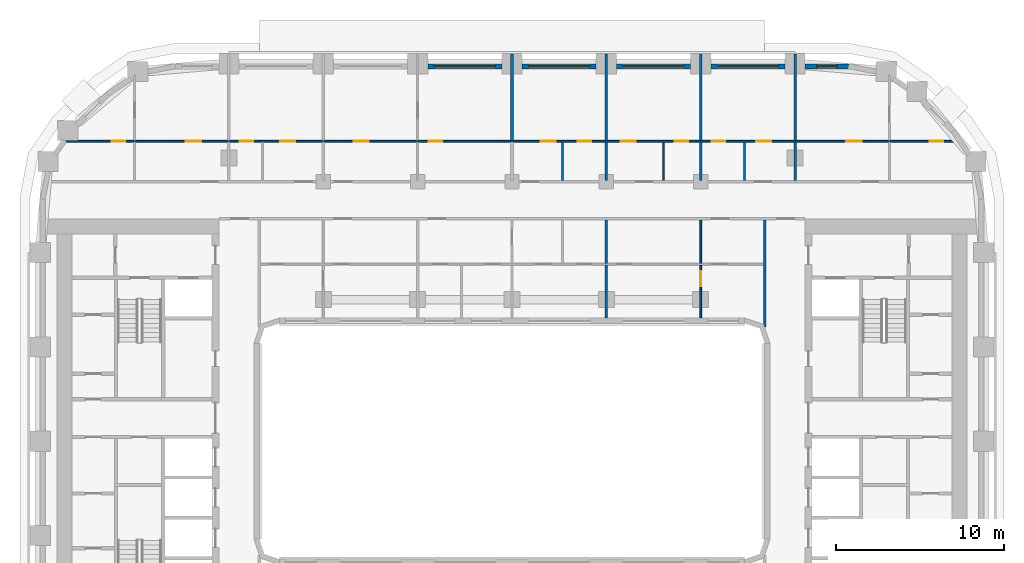
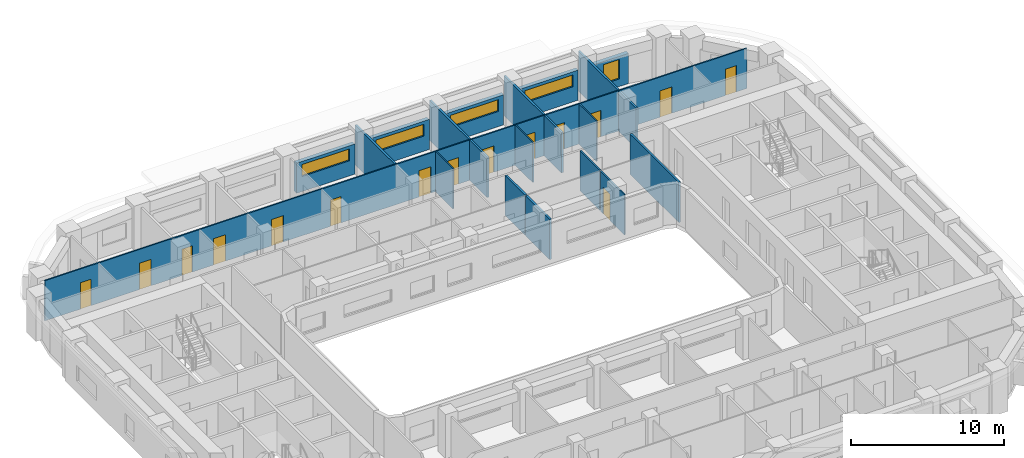
# One storey, part 9 of 22: 21 walls, 15 doors, 5 windows, 20 openings.
"""IFC4 building model written with IfcOpenShell, lengths in metres."""

from ifc_helpers import new_model, si_unit, direction, frame, frame_2d, origin, place, context, subcontext, project, spatial, rectangle, extrude, material, layer, layer_set, type_object, element, fill, save


model = new_model("IFC4")

# Units and contexts
model_context = context("Model", 3, precision=1e-05, world=origin(), true_north=direction((0.0, 1.0)))
body_context = subcontext(model_context, "Body", "Model", "MODEL_VIEW")
ifc_project = project(units=[si_unit("LENGTHUNIT", "METRE"), si_unit("AREAUNIT", "SQUARE_METRE"), si_unit("VOLUMEUNIT", "CUBIC_METRE"), si_unit("PLANEANGLEUNIT", "RADIAN"), si_unit("MASSUNIT", "GRAM", prefix="KILO")], contexts=[model_context])

# Site, building, storey
site_placement = place(None, origin())
site = spatial("IfcSite", under=ifc_project, at=site_placement, CompositionType="ELEMENT")
building_placement = place(site_placement, origin())
building = spatial("IfcBuilding", under=site, at=building_placement, Name="Kiln Ring Residences", CompositionType="ELEMENT")
storey_placement = place(building_placement, frame((0.0, 0.0, 111.300048828125)))
storey = spatial("IfcBuildingStorey", under=building, at=storey_placement, Name="L28", CompositionType="ELEMENT", Elevation=111.300048828125)

# Wall, opening, window
ifc_material_1 = material(Name="Brick masonry, dark clay brick", Category="masonry")
ifc_layer_1 = layer(ifc_material_1, 0.300048828125)
ifc_layer_set_1 = layer_set([ifc_layer_1], Name="EW-300 BRICK WALL")
wall_type_1 = type_object("IfcWallType", Name="EW-300 BRICK WALL", PredefinedType="SOLIDWALL", material=ifc_layer_set_1)
wall_1_placement = place(storey_placement, frame((20.0, 22.25, 0.0), z_axis=(0.0, 0.0, 1.0), x_axis=(-1.0, 0.0, 0.0)))
wall_1 = element("IfcWall", 1, at=wall_1_placement, inside=storey, type_object=wall_type_1, Name="Facade wall L28 28", PredefinedType="SOLIDWALL", context=body_context, shape_type="SweptSolid", body=[
    extrude(rectangle(XDim=2.60009765625, YDim=0.300048828125, at=frame_2d((1.300048828125, 0.0))), origin(), (0.0, 0.0, 1.0), 2.39990234375),
])
opening_1_placement = place(wall_1_placement, frame((0.699951171875, 0.0, 0.60009765625)))
opening_1 = element("IfcOpeningElement", 2, at=opening_1_placement, cuts=wall_1, Name="Opening W1", PredefinedType="OPENING", context=body_context, shape_type="SweptSolid", body=[
    extrude(rectangle(XDim=1.199951171875, YDim=1.550048828125, at=frame_2d((0.60009765625, 0.77490234375))), frame((0.0, 0.159912109375, 0.0), z_axis=(0.0, -1.0, 0.0), x_axis=(1.0, 0.0, 0.0)), (0.0, 0.0, 1.0), 0.320068359375),
])
ifc_material_2 = material(Name="Aluminium frame with double glazing", Category="aluminium")
window_type_1 = type_object("IfcWindowType", Name="WINDOW 1200 x 1550", PartitioningType="SINGLE_PANEL", PredefinedType="WINDOW", material=ifc_material_2)
window_1_placement = place(opening_1_placement, origin())
window_1 = element("IfcWindow", 3, at=window_1_placement, inside=storey, type_object=window_type_1, Name="Window L28 14", OverallHeight=1.550048828125, OverallWidth=1.199951171875, PartitioningType="SINGLE_PANEL", PredefinedType="WINDOW", context=body_context, shape_type="SweptSolid", body=[
    extrude(rectangle(XDim=1.199951171875, YDim=1.550048828125, at=frame_2d((0.60009765625, 0.77490234375))), frame((0.0, 0.030029296875, 0.0), z_axis=(0.0, -1.0, 0.0), x_axis=(1.0, 0.0, 0.0)), (0.0, 0.0, 1.0), 0.06005859375),
])
fill(opening_1, window_1)

wall_2_placement = place(storey_placement, frame((16.199951171875, 22.25, 0.0), z_axis=(0.0, 0.0, 1.0), x_axis=(-1.0, 0.0, 0.0)))
wall_2 = element("IfcWall", 4, at=wall_2_placement, inside=storey, type_object=wall_type_1, Name="Facade wall L28 29", PredefinedType="SOLIDWALL", context=body_context, shape_type="SweptSolid", body=[
    extrude(rectangle(XDim=4.39990234375, YDim=0.300048828125, at=frame_2d((2.199951171875, 0.0))), origin(), (0.0, 0.0, 1.0), 2.39990234375),
])
opening_2_placement = place(wall_2_placement, frame((0.39990234375, 0.0, 1.199951171875)))
opening_2 = element("IfcOpeningElement", 5, at=opening_2_placement, cuts=wall_2, Name="Opening W4", PredefinedType="OPENING", context=body_context, shape_type="SweptSolid", body=[
    extrude(rectangle(XDim=3.60009765625, YDim=0.949951171875, at=frame_2d((1.800048828125, 0.47509765625))), frame((0.0, 0.159912109375, 0.0), z_axis=(0.0, -1.0, 0.0), x_axis=(1.0, 0.0, 0.0)), (0.0, 0.0, 1.0), 0.320068359375),
])
ifc_material_3 = material(Name="Aluminium frame with double glazing", Category="aluminium")
window_type_2 = type_object("IfcWindowType", Name="WINDOW 3600 x 950", PartitioningType="SINGLE_PANEL", PredefinedType="WINDOW", material=ifc_material_3)
window_2_placement = place(opening_2_placement, origin())
window_2 = element("IfcWindow", 6, at=window_2_placement, inside=storey, type_object=window_type_2, Name="Window L28 15", OverallHeight=0.949951171875, OverallWidth=3.60009765625, PartitioningType="SINGLE_PANEL", PredefinedType="WINDOW", context=body_context, shape_type="SweptSolid", body=[
    extrude(rectangle(XDim=3.60009765625, YDim=0.949951171875, at=frame_2d((1.800048828125, 0.47509765625))), frame((0.0, 0.030029296875, 0.0), z_axis=(0.0, -1.0, 0.0), x_axis=(1.0, 0.0, 0.0)), (0.0, 0.0, 1.0), 0.06005859375),
])
fill(opening_2, window_2)

wall_3_placement = place(storey_placement, frame((10.60009765625, 22.25, 0.0), z_axis=(0.0, 0.0, 1.0), x_axis=(-1.0, 0.0, 0.0)))
wall_3 = element("IfcWall", 7, at=wall_3_placement, inside=storey, type_object=wall_type_1, Name="Facade wall L28 30", PredefinedType="SOLIDWALL", context=body_context, shape_type="SweptSolid", body=[
    extrude(rectangle(XDim=4.400146484375, YDim=0.300048828125, at=frame_2d((2.2001953125, 0.0))), origin(), (0.0, 0.0, 1.0), 2.39990234375),
])
opening_3_placement = place(wall_3_placement, frame((0.39990234375, 0.0, 1.199951171875)))
opening_3 = element("IfcOpeningElement", 8, at=opening_3_placement, cuts=wall_3, Name="Opening W4", PredefinedType="OPENING", context=body_context, shape_type="SweptSolid", body=[
    extrude(rectangle(XDim=3.60009765625, YDim=0.949951171875, at=frame_2d((1.800048828125, 0.47509765625))), frame((0.0, 0.159912109375, 0.0), z_axis=(0.0, -1.0, 0.0), x_axis=(1.0, 0.0, 0.0)), (0.0, 0.0, 1.0), 0.320068359375),
])
window_3_placement = place(opening_3_placement, origin())
window_3 = element("IfcWindow", 9, at=window_3_placement, inside=storey, type_object=window_type_2, Name="Window L28 16", OverallHeight=0.949951171875, OverallWidth=3.60009765625, PartitioningType="SINGLE_PANEL", PredefinedType="WINDOW", context=body_context, shape_type="SweptSolid", body=[
    extrude(rectangle(XDim=3.60009765625, YDim=0.949951171875, at=frame_2d((1.800048828125, 0.47509765625))), frame((0.0, 0.030029296875, 0.0), z_axis=(0.0, -1.0, 0.0), x_axis=(1.0, 0.0, 0.0)), (0.0, 0.0, 1.0), 0.06005859375),
])
fill(opening_3, window_3)

wall_4_placement = place(storey_placement, frame((5.0, 22.25, 0.0), z_axis=(0.0, 0.0, 1.0), x_axis=(-1.0, 0.0, 0.0)))
wall_4 = element("IfcWall", 10, at=wall_4_placement, inside=storey, type_object=wall_type_1, Name="Facade wall L28 31", PredefinedType="SOLIDWALL", context=body_context, shape_type="SweptSolid", body=[
    extrude(rectangle(XDim=4.39990234375, YDim=0.300048828125, at=frame_2d((2.199951171875, 0.0))), origin(), (0.0, 0.0, 1.0), 2.39990234375),
])
opening_4_placement = place(wall_4_placement, frame((0.39990234375, 0.0, 1.199951171875)))
opening_4 = element("IfcOpeningElement", 11, at=opening_4_placement, cuts=wall_4, Name="Opening W4", PredefinedType="OPENING", context=body_context, shape_type="SweptSolid", body=[
    extrude(rectangle(XDim=3.60009765625, YDim=0.949951171875, at=frame_2d((1.800048828125, 0.47509765625))), frame((0.0, 0.159912109375, 0.0), z_axis=(0.0, -1.0, 0.0), x_axis=(1.0, 0.0, 0.0)), (0.0, 0.0, 1.0), 0.320068359375),
])
window_4_placement = place(opening_4_placement, origin())
window_4 = element("IfcWindow", 12, at=window_4_placement, inside=storey, type_object=window_type_2, Name="Window L28 17", OverallHeight=0.949951171875, OverallWidth=3.60009765625, PartitioningType="SINGLE_PANEL", PredefinedType="WINDOW", context=body_context, shape_type="SweptSolid", body=[
    extrude(rectangle(XDim=3.60009765625, YDim=0.949951171875, at=frame_2d((1.800048828125, 0.47509765625))), frame((0.0, 0.030029296875, 0.0), z_axis=(0.0, -1.0, 0.0), x_axis=(1.0, 0.0, 0.0)), (0.0, 0.0, 1.0), 0.06005859375),
])
fill(opening_4, window_4)

wall_5_placement = place(storey_placement, frame((-0.60009765625, 22.25, 0.0), z_axis=(0.0, 0.0, 1.0), x_axis=(-1.0, 0.0, 0.0)))
wall_5 = element("IfcWall", 13, at=wall_5_placement, inside=storey, type_object=wall_type_1, Name="Facade wall L28 32", PredefinedType="SOLIDWALL", context=body_context, shape_type="SweptSolid", body=[
    extrude(rectangle(XDim=4.39990234375, YDim=0.300048828125, at=frame_2d((2.199951171875, 0.0))), origin(), (0.0, 0.0, 1.0), 2.39990234375),
])
opening_5_placement = place(wall_5_placement, frame((0.39990234375, 0.0, 1.199951171875)))
opening_5 = element("IfcOpeningElement", 14, at=opening_5_placement, cuts=wall_5, Name="Opening W4", PredefinedType="OPENING", context=body_context, shape_type="SweptSolid", body=[
    extrude(rectangle(XDim=3.60009765625, YDim=0.949951171875, at=frame_2d((1.800048828125, 0.47509765625))), frame((0.0, 0.159912109375, 0.0), z_axis=(0.0, -1.0, 0.0), x_axis=(1.0, 0.0, 0.0)), (0.0, 0.0, 1.0), 0.320068359375),
])
window_5_placement = place(opening_5_placement, origin())
window_5 = element("IfcWindow", 15, at=window_5_placement, inside=storey, type_object=window_type_2, Name="Window L28 18", OverallHeight=0.949951171875, OverallWidth=3.60009765625, PartitioningType="SINGLE_PANEL", PredefinedType="WINDOW", context=body_context, shape_type="SweptSolid", body=[
    extrude(rectangle(XDim=3.60009765625, YDim=0.949951171875, at=frame_2d((1.800048828125, 0.47509765625))), frame((0.0, 0.030029296875, 0.0), z_axis=(0.0, -1.0, 0.0), x_axis=(1.0, 0.0, 0.0)), (0.0, 0.0, 1.0), 0.06005859375),
])
fill(opening_5, window_5)

# Wall, openings, doors
ifc_material_4 = material(Name="Gypsum board on steel studs", Category="steel")
ifc_layer_2 = layer(ifc_material_4, 0.10009765625)
ifc_layer_set_2 = layer_set([ifc_layer_2], Name="PARTITION-100")
wall_type_2 = type_object("IfcWallType", Name="PARTITION-100", PredefinedType="PARTITIONING", material=ifc_layer_set_2)
wall_6_placement = place(storey_placement, frame((-26.465087890625, 17.800048828125, 0.0), z_axis=(0.0, 0.0, 1.0), x_axis=(1.0, 0.0, 0.0)))
wall_6 = element("IfcWall", 16, at=wall_6_placement, inside=storey, type_object=wall_type_2, Name="Partition 006", PredefinedType="PARTITIONING", context=body_context, shape_type="SweptSolid", body=[
    extrude(rectangle(XDim=52.859130859375, YDim=0.10009765625, at=frame_2d((26.4296875, 0.0))), origin(), (0.0, 0.0, 1.0), 3.199951171875),
])
opening_6_placement = place(wall_6_placement, frame((2.697265625, 0.0, 0.0)))
opening_6 = element("IfcOpeningElement", 17, at=opening_6_placement, cuts=wall_6, Name="Opening L28-D020", PredefinedType="OPENING", context=body_context, shape_type="SweptSolid", body=[
    extrude(rectangle(XDim=0.800048828125, YDim=2.10009765625, at=frame_2d((0.39990234375, 1.050048828125))), frame((0.0, 0.06005859375, 0.0), z_axis=(0.0, -1.0, 0.0), x_axis=(1.0, 0.0, 0.0)), (0.0, 0.0, 1.0), 0.1201171875),
])
opening_7_placement = place(wall_6_placement, frame((7.115234375, 0.0, 0.0)))
opening_7 = element("IfcOpeningElement", 18, at=opening_7_placement, cuts=wall_6, Name="Opening L28-D021", PredefinedType="OPENING", context=body_context, shape_type="SweptSolid", body=[
    extrude(rectangle(XDim=0.89990234375, YDim=2.10009765625, at=frame_2d((0.449951171875, 1.050048828125))), frame((0.0, 0.06005859375, 0.0), z_axis=(0.0, -1.0, 0.0), x_axis=(1.0, 0.0, 0.0)), (0.0, 0.0, 1.0), 0.1201171875),
])
opening_8_placement = place(wall_6_placement, frame((10.315185546875, 0.0, 0.0)))
opening_8 = element("IfcOpeningElement", 19, at=opening_8_placement, cuts=wall_6, Name="Opening L28-D024", PredefinedType="OPENING", context=body_context, shape_type="SweptSolid", body=[
    extrude(rectangle(XDim=0.800048828125, YDim=2.10009765625, at=frame_2d((0.39990234375, 1.050048828125))), frame((0.0, 0.06005859375, 0.0), z_axis=(0.0, -1.0, 0.0), x_axis=(1.0, 0.0, 0.0)), (0.0, 0.0, 1.0), 0.1201171875),
])
opening_9_placement = place(wall_6_placement, frame((12.715087890625, 0.0, 0.0)))
opening_9 = element("IfcOpeningElement", 20, at=opening_9_placement, cuts=wall_6, Name="Opening L28-D025", PredefinedType="OPENING", context=body_context, shape_type="SweptSolid", body=[
    extrude(rectangle(XDim=0.89990234375, YDim=2.10009765625, at=frame_2d((0.449951171875, 1.050048828125))), frame((0.0, 0.06005859375, 0.0), z_axis=(0.0, -1.0, 0.0), x_axis=(1.0, 0.0, 0.0)), (0.0, 0.0, 1.0), 0.1201171875),
])
opening_10_placement = place(wall_6_placement, frame((21.51513671875, 0.0, 0.0)))
opening_10 = element("IfcOpeningElement", 21, at=opening_10_placement, cuts=wall_6, Name="Opening L28-D027", PredefinedType="OPENING", context=body_context, shape_type="SweptSolid", body=[
    extrude(rectangle(XDim=0.800048828125, YDim=2.10009765625, at=frame_2d((0.39990234375, 1.050048828125))), frame((0.0, 0.06005859375, 0.0), z_axis=(0.0, -1.0, 0.0), x_axis=(1.0, 0.0, 0.0)), (0.0, 0.0, 1.0), 0.1201171875),
])
opening_11_placement = place(wall_6_placement, frame((17.065185546875, 0.0, 0.0)))
opening_11 = element("IfcOpeningElement", 22, at=opening_11_placement, cuts=wall_6, Name="Opening L28-D028", PredefinedType="OPENING", context=body_context, shape_type="SweptSolid", body=[
    extrude(rectangle(XDim=0.89990234375, YDim=2.10009765625, at=frame_2d((0.449951171875, 1.050048828125))), frame((0.0, 0.06005859375, 0.0), z_axis=(0.0, -1.0, 0.0), x_axis=(1.0, 0.0, 0.0)), (0.0, 0.0, 1.0), 0.1201171875),
])
opening_12_placement = place(wall_6_placement, frame((30.365234375, 0.0, 0.0)))
opening_12 = element("IfcOpeningElement", 23, at=opening_12_placement, cuts=wall_6, Name="Opening L28-D031", PredefinedType="OPENING", context=body_context, shape_type="SweptSolid", body=[
    extrude(rectangle(XDim=0.800048828125, YDim=2.10009765625, at=frame_2d((0.39990234375, 1.050048828125))), frame((0.0, 0.06005859375, 0.0), z_axis=(0.0, -1.0, 0.0), x_axis=(1.0, 0.0, 0.0)), (0.0, 0.0, 1.0), 0.1201171875),
])
opening_13_placement = place(wall_6_placement, frame((28.165283203125, 0.0, 0.0)))
opening_13 = element("IfcOpeningElement", 24, at=opening_13_placement, cuts=wall_6, Name="Opening L28-D032", PredefinedType="OPENING", context=body_context, shape_type="SweptSolid", body=[
    extrude(rectangle(XDim=0.89990234375, YDim=2.10009765625, at=frame_2d((0.449951171875, 1.050048828125))), frame((0.0, 0.06005859375, 0.0), z_axis=(0.0, -1.0, 0.0), x_axis=(1.0, 0.0, 0.0)), (0.0, 0.0, 1.0), 0.1201171875),
])
opening_14_placement = place(wall_6_placement, frame((36.115234375, 0.0, 0.0)))
opening_14 = element("IfcOpeningElement", 25, at=opening_14_placement, cuts=wall_6, Name="Opening L28-D034", PredefinedType="OPENING", context=body_context, shape_type="SweptSolid", body=[
    extrude(rectangle(XDim=0.800048828125, YDim=2.10009765625, at=frame_2d((0.39990234375, 1.050048828125))), frame((0.0, 0.06005859375, 0.0), z_axis=(0.0, -1.0, 0.0), x_axis=(1.0, 0.0, 0.0)), (0.0, 0.0, 1.0), 0.1201171875),
])
opening_15_placement = place(wall_6_placement, frame((32.915283203125, 0.0, 0.0)))
opening_15 = element("IfcOpeningElement", 26, at=opening_15_placement, cuts=wall_6, Name="Opening L28-D035", PredefinedType="OPENING", context=body_context, shape_type="SweptSolid", body=[
    extrude(rectangle(XDim=0.89990234375, YDim=2.10009765625, at=frame_2d((0.449951171875, 1.050048828125))), frame((0.0, 0.06005859375, 0.0), z_axis=(0.0, -1.0, 0.0), x_axis=(1.0, 0.0, 0.0)), (0.0, 0.0, 1.0), 0.1201171875),
])
opening_16_placement = place(wall_6_placement, frame((38.315185546875, 0.0, 0.0)))
opening_16 = element("IfcOpeningElement", 27, at=opening_16_placement, cuts=wall_6, Name="Opening L28-D037", PredefinedType="OPENING", context=body_context, shape_type="SweptSolid", body=[
    extrude(rectangle(XDim=0.800048828125, YDim=2.10009765625, at=frame_2d((0.39990234375, 1.050048828125))), frame((0.0, 0.06005859375, 0.0), z_axis=(0.0, -1.0, 0.0), x_axis=(1.0, 0.0, 0.0)), (0.0, 0.0, 1.0), 0.1201171875),
])
opening_17_placement = place(wall_6_placement, frame((40.965087890625, 0.0, 0.0)))
opening_17 = element("IfcOpeningElement", 28, at=opening_17_placement, cuts=wall_6, Name="Opening L28-D038", PredefinedType="OPENING", context=body_context, shape_type="SweptSolid", body=[
    extrude(rectangle(XDim=0.89990234375, YDim=2.10009765625, at=frame_2d((0.449951171875, 1.050048828125))), frame((0.0, 0.06005859375, 0.0), z_axis=(0.0, -1.0, 0.0), x_axis=(1.0, 0.0, 0.0)), (0.0, 0.0, 1.0), 0.1201171875),
])
opening_18_placement = place(wall_6_placement, frame((51.26513671875, 0.0, 0.0)))
opening_18 = element("IfcOpeningElement", 29, at=opening_18_placement, cuts=wall_6, Name="Opening L28-D040", PredefinedType="OPENING", context=body_context, shape_type="SweptSolid", body=[
    extrude(rectangle(XDim=0.800048828125, YDim=2.10009765625, at=frame_2d((0.39990234375, 1.050048828125))), frame((0.0, 0.06005859375, 0.0), z_axis=(0.0, -1.0, 0.0), x_axis=(1.0, 0.0, 0.0)), (0.0, 0.0, 1.0), 0.1201171875),
])
opening_19_placement = place(wall_6_placement, frame((46.315185546875, 0.0, 0.0)))
opening_19 = element("IfcOpeningElement", 30, at=opening_19_placement, cuts=wall_6, Name="Opening L28-D041", PredefinedType="OPENING", context=body_context, shape_type="SweptSolid", body=[
    extrude(rectangle(XDim=0.89990234375, YDim=2.10009765625, at=frame_2d((0.449951171875, 1.050048828125))), frame((0.0, 0.06005859375, 0.0), z_axis=(0.0, -1.0, 0.0), x_axis=(1.0, 0.0, 0.0)), (0.0, 0.0, 1.0), 0.1201171875),
])
ifc_material_5 = material(Name="Timber door leaf", Category="wood")
door_type_1 = type_object("IfcDoorType", Name="FLAT-DOOR-800-PL", OperationType="SINGLE_SWING_LEFT", PredefinedType="DOOR", material=ifc_material_5)
door_1_placement = place(opening_6_placement, origin())
door_1 = element("IfcDoor", 31, at=door_1_placement, inside=storey, type_object=door_type_1, Name="Door L28-D020", OperationType="SINGLE_SWING_RIGHT", OverallHeight=2.10009765625, OverallWidth=0.800048828125, PredefinedType="DOOR", context=body_context, shape_type="SweptSolid", body=[
    extrude(rectangle(XDim=0.800048828125, YDim=2.10009765625, at=frame_2d((0.39990234375, 1.050048828125))), frame((0.0, 0.02490234375, 0.0), z_axis=(0.0, -1.0, 0.0), x_axis=(1.0, 0.0, 0.0)), (0.0, 0.0, 1.0), 0.050048828125),
])
fill(opening_6, door_1)
door_2_placement = place(opening_8_placement, origin())
door_2 = element("IfcDoor", 32, at=door_2_placement, inside=storey, type_object=door_type_1, Name="Door L28-D024", OperationType="SINGLE_SWING_RIGHT", OverallHeight=2.10009765625, OverallWidth=0.800048828125, PredefinedType="DOOR", context=body_context, shape_type="SweptSolid", body=[
    extrude(rectangle(XDim=0.800048828125, YDim=2.10009765625, at=frame_2d((0.39990234375, 1.050048828125))), frame((0.0, 0.02490234375, 0.0), z_axis=(0.0, -1.0, 0.0), x_axis=(1.0, 0.0, 0.0)), (0.0, 0.0, 1.0), 0.050048828125),
])
fill(opening_8, door_2)
door_3_placement = place(opening_10_placement, origin())
door_3 = element("IfcDoor", 33, at=door_3_placement, inside=storey, type_object=door_type_1, Name="Door L28-D027", OperationType="SINGLE_SWING_LEFT", OverallHeight=2.10009765625, OverallWidth=0.800048828125, PredefinedType="DOOR", context=body_context, shape_type="SweptSolid", body=[
    extrude(rectangle(XDim=0.800048828125, YDim=2.10009765625, at=frame_2d((0.39990234375, 1.050048828125))), frame((0.0, 0.02490234375, 0.0), z_axis=(0.0, -1.0, 0.0), x_axis=(1.0, 0.0, 0.0)), (0.0, 0.0, 1.0), 0.050048828125),
])
fill(opening_10, door_3)
door_4_placement = place(opening_12_placement, origin())
door_4 = element("IfcDoor", 34, at=door_4_placement, inside=storey, type_object=door_type_1, Name="Door L28-D031", OperationType="SINGLE_SWING_LEFT", OverallHeight=2.10009765625, OverallWidth=0.800048828125, PredefinedType="DOOR", context=body_context, shape_type="SweptSolid", body=[
    extrude(rectangle(XDim=0.800048828125, YDim=2.10009765625, at=frame_2d((0.39990234375, 1.050048828125))), frame((0.0, 0.02490234375, 0.0), z_axis=(0.0, -1.0, 0.0), x_axis=(1.0, 0.0, 0.0)), (0.0, 0.0, 1.0), 0.050048828125),
])
fill(opening_12, door_4)
door_5_placement = place(opening_14_placement, origin())
door_5 = element("IfcDoor", 35, at=door_5_placement, inside=storey, type_object=door_type_1, Name="Door L28-D034", OperationType="SINGLE_SWING_RIGHT", OverallHeight=2.10009765625, OverallWidth=0.800048828125, PredefinedType="DOOR", context=body_context, shape_type="SweptSolid", body=[
    extrude(rectangle(XDim=0.800048828125, YDim=2.10009765625, at=frame_2d((0.39990234375, 1.050048828125))), frame((0.0, 0.02490234375, 0.0), z_axis=(0.0, -1.0, 0.0), x_axis=(1.0, 0.0, 0.0)), (0.0, 0.0, 1.0), 0.050048828125),
])
fill(opening_14, door_5)
door_6_placement = place(opening_16_placement, origin())
door_6 = element("IfcDoor", 36, at=door_6_placement, inside=storey, type_object=door_type_1, Name="Door L28-D037", OperationType="SINGLE_SWING_LEFT", OverallHeight=2.10009765625, OverallWidth=0.800048828125, PredefinedType="DOOR", context=body_context, shape_type="SweptSolid", body=[
    extrude(rectangle(XDim=0.800048828125, YDim=2.10009765625, at=frame_2d((0.39990234375, 1.050048828125))), frame((0.0, 0.02490234375, 0.0), z_axis=(0.0, -1.0, 0.0), x_axis=(1.0, 0.0, 0.0)), (0.0, 0.0, 1.0), 0.050048828125),
])
fill(opening_16, door_6)
door_7_placement = place(opening_18_placement, origin())
door_7 = element("IfcDoor", 37, at=door_7_placement, inside=storey, type_object=door_type_1, Name="Door L28-D040", OperationType="SINGLE_SWING_RIGHT", OverallHeight=2.10009765625, OverallWidth=0.800048828125, PredefinedType="DOOR", context=body_context, shape_type="SweptSolid", body=[
    extrude(rectangle(XDim=0.800048828125, YDim=2.10009765625, at=frame_2d((0.39990234375, 1.050048828125))), frame((0.0, 0.02490234375, 0.0), z_axis=(0.0, -1.0, 0.0), x_axis=(1.0, 0.0, 0.0)), (0.0, 0.0, 1.0), 0.050048828125),
])
fill(opening_18, door_7)
ifc_material_6 = material(Name="Timber door leaf", Category="wood")
door_type_2 = type_object("IfcDoorType", Name="FLAT-DOOR-900-PL", OperationType="SINGLE_SWING_LEFT", PredefinedType="DOOR", material=ifc_material_6)
door_8_placement = place(opening_7_placement, origin())
door_8 = element("IfcDoor", 38, at=door_8_placement, inside=storey, type_object=door_type_2, Name="Door L28-D021", OperationType="SINGLE_SWING_LEFT", OverallHeight=2.10009765625, OverallWidth=0.89990234375, PredefinedType="DOOR", context=body_context, shape_type="SweptSolid", body=[
    extrude(rectangle(XDim=0.89990234375, YDim=2.10009765625, at=frame_2d((0.449951171875, 1.050048828125))), frame((0.0, 0.02490234375, 0.0), z_axis=(0.0, -1.0, 0.0), x_axis=(1.0, 0.0, 0.0)), (0.0, 0.0, 1.0), 0.050048828125),
])
fill(opening_7, door_8)
door_9_placement = place(opening_9_placement, origin())
door_9 = element("IfcDoor", 39, at=door_9_placement, inside=storey, type_object=door_type_2, Name="Door L28-D025", OperationType="SINGLE_SWING_RIGHT", OverallHeight=2.10009765625, OverallWidth=0.89990234375, PredefinedType="DOOR", context=body_context, shape_type="SweptSolid", body=[
    extrude(rectangle(XDim=0.89990234375, YDim=2.10009765625, at=frame_2d((0.449951171875, 1.050048828125))), frame((0.0, 0.02490234375, 0.0), z_axis=(0.0, -1.0, 0.0), x_axis=(1.0, 0.0, 0.0)), (0.0, 0.0, 1.0), 0.050048828125),
])
fill(opening_9, door_9)
door_10_placement = place(opening_11_placement, origin())
door_10 = element("IfcDoor", 40, at=door_10_placement, inside=storey, type_object=door_type_2, Name="Door L28-D028", OperationType="SINGLE_SWING_RIGHT", OverallHeight=2.10009765625, OverallWidth=0.89990234375, PredefinedType="DOOR", context=body_context, shape_type="SweptSolid", body=[
    extrude(rectangle(XDim=0.89990234375, YDim=2.10009765625, at=frame_2d((0.449951171875, 1.050048828125))), frame((0.0, 0.02490234375, 0.0), z_axis=(0.0, -1.0, 0.0), x_axis=(1.0, 0.0, 0.0)), (0.0, 0.0, 1.0), 0.050048828125),
])
fill(opening_11, door_10)
door_11_placement = place(opening_13_placement, origin())
door_11 = element("IfcDoor", 41, at=door_11_placement, inside=storey, type_object=door_type_2, Name="Door L28-D032", OperationType="SINGLE_SWING_LEFT", OverallHeight=2.10009765625, OverallWidth=0.89990234375, PredefinedType="DOOR", context=body_context, shape_type="SweptSolid", body=[
    extrude(rectangle(XDim=0.89990234375, YDim=2.10009765625, at=frame_2d((0.449951171875, 1.050048828125))), frame((0.0, 0.02490234375, 0.0), z_axis=(0.0, -1.0, 0.0), x_axis=(1.0, 0.0, 0.0)), (0.0, 0.0, 1.0), 0.050048828125),
])
fill(opening_13, door_11)
door_12_placement = place(opening_15_placement, origin())
door_12 = element("IfcDoor", 42, at=door_12_placement, inside=storey, type_object=door_type_2, Name="Door L28-D035", OperationType="SINGLE_SWING_RIGHT", OverallHeight=2.10009765625, OverallWidth=0.89990234375, PredefinedType="DOOR", context=body_context, shape_type="SweptSolid", body=[
    extrude(rectangle(XDim=0.89990234375, YDim=2.10009765625, at=frame_2d((0.449951171875, 1.050048828125))), frame((0.0, 0.02490234375, 0.0), z_axis=(0.0, -1.0, 0.0), x_axis=(1.0, 0.0, 0.0)), (0.0, 0.0, 1.0), 0.050048828125),
])
fill(opening_15, door_12)
door_13_placement = place(opening_17_placement, origin())
door_13 = element("IfcDoor", 43, at=door_13_placement, inside=storey, type_object=door_type_2, Name="Door L28-D038", OperationType="SINGLE_SWING_RIGHT", OverallHeight=2.10009765625, OverallWidth=0.89990234375, PredefinedType="DOOR", context=body_context, shape_type="SweptSolid", body=[
    extrude(rectangle(XDim=0.89990234375, YDim=2.10009765625, at=frame_2d((0.449951171875, 1.050048828125))), frame((0.0, 0.02490234375, 0.0), z_axis=(0.0, -1.0, 0.0), x_axis=(1.0, 0.0, 0.0)), (0.0, 0.0, 1.0), 0.050048828125),
])
fill(opening_17, door_13)
door_14_placement = place(opening_19_placement, origin())
door_14 = element("IfcDoor", 44, at=door_14_placement, inside=storey, type_object=door_type_2, Name="Door L28-D041", OperationType="SINGLE_SWING_LEFT", OverallHeight=2.10009765625, OverallWidth=0.89990234375, PredefinedType="DOOR", context=body_context, shape_type="SweptSolid", body=[
    extrude(rectangle(XDim=0.89990234375, YDim=2.10009765625, at=frame_2d((0.449951171875, 1.050048828125))), frame((0.0, 0.02490234375, 0.0), z_axis=(0.0, -1.0, 0.0), x_axis=(1.0, 0.0, 0.0)), (0.0, 0.0, 1.0), 0.050048828125),
])
fill(opening_19, door_14)

# Walls
for number, where, z_axis, x_axis, name in (
    (45, (3.0, 15.47509765625, 0.0), (0.0, 0.0, 1.0), (0.0, 1.0, 0.0), "Partition 043"),
    (46, (9.0, 15.47509765625, 0.0), (0.0, 0.0, 1.0), (0.0, 1.0, 0.0), "Partition 052"),
):
    element("IfcWall", number, at=place(storey_placement, frame(where, z_axis=z_axis, x_axis=x_axis)), inside=storey, type_object=wall_type_2, Name=name, PredefinedType="PARTITIONING", context=body_context, shape_type="SweptSolid", body=[
        extrude(rectangle(XDim=2.27490234375, YDim=0.10009765625, at=frame_2d((1.137451171875, 0.0))), origin(), (0.0, 0.0, 1.0), 3.199951171875),
    ])

# Wall, opening, door
wall_7_placement = place(storey_placement, frame((11.199951171875, 7.320068359375, 0.0), z_axis=(0.0, 0.0, 1.0), x_axis=(0.0, 1.0, 0.0)))
wall_7 = element("IfcWall", 47, at=wall_7_placement, inside=storey, type_object=wall_type_2, Name="Partition 056", PredefinedType="PARTITIONING", context=body_context, shape_type="SweptSolid", body=[
    extrude(rectangle(XDim=3.1298828125, YDim=0.10009765625, at=frame_2d((1.56494140625, 0.0))), origin(), (0.0, 0.0, 1.0), 3.199951171875),
])
opening_20_placement = place(wall_7_placement, frame((1.8798828125, 0.0, 0.0)))
opening_20 = element("IfcOpeningElement", 48, at=opening_20_placement, cuts=wall_7, Name="Opening L28-D018", PredefinedType="OPENING", context=body_context, shape_type="SweptSolid", body=[
    extrude(rectangle(XDim=0.89990234375, YDim=2.10009765625, at=frame_2d((0.449951171875, 1.050048828125))), frame((0.0, 0.06005859375, 0.0), z_axis=(0.0, -1.0, 0.0), x_axis=(1.0, 0.0, 0.0)), (0.0, 0.0, 1.0), 0.1201171875),
])
door_15_placement = place(opening_20_placement, origin())
door_15 = element("IfcDoor", 49, at=door_15_placement, inside=storey, type_object=door_type_2, Name="Door L28-D018", OperationType="SINGLE_SWING_LEFT", OverallHeight=2.10009765625, OverallWidth=0.89990234375, PredefinedType="DOOR", context=body_context, shape_type="SweptSolid", body=[
    extrude(rectangle(XDim=0.89990234375, YDim=2.10009765625, at=frame_2d((0.449951171875, 1.050048828125))), frame((0.0, 0.02490234375, 0.0), z_axis=(0.0, -1.0, 0.0), x_axis=(1.0, 0.0, 0.0)), (0.0, 0.0, 1.0), 0.050048828125),
])
fill(opening_20, door_15)

# Walls
wall_8_placement = place(storey_placement, frame((11.199951171875, 10.550048828125, 0.0), z_axis=(0.0, 0.0, 1.0), x_axis=(0.0, 1.0, 0.0)))
element("IfcWall", 50, at=wall_8_placement, inside=storey, type_object=wall_type_2, Name="Partition 057", PredefinedType="PARTITIONING", context=body_context, shape_type="SweptSolid", body=[
    extrude(rectangle(XDim=2.574951171875, YDim=0.10009765625, at=frame_2d((1.28759765625, 0.0))), origin(), (0.0, 0.0, 1.0), 3.199951171875),
])
wall_9_placement = place(storey_placement, frame((13.800048828125, 15.47509765625, 0.0), z_axis=(0.0, 0.0, 1.0), x_axis=(0.0, 1.0, 0.0)))
element("IfcWall", 51, at=wall_9_placement, inside=storey, type_object=wall_type_2, Name="Partition 061", PredefinedType="PARTITIONING", context=body_context, shape_type="SweptSolid", body=[
    extrude(rectangle(XDim=2.27490234375, YDim=0.10009765625, at=frame_2d((1.137451171875, 0.0))), origin(), (0.0, 0.0, 1.0), 3.199951171875),
])
ifc_material_7 = material(Name="Brick masonry partition", Category="masonry")
ifc_layer_3 = layer(ifc_material_7, 0.14990234375)
ifc_layer_set_3 = layer_set([ifc_layer_3], Name="PARTITION-150-ei60")
wall_type_3 = type_object("IfcWallType", Name="PARTITION-150-ei60", PredefinedType="PARTITIONING", material=ifc_layer_set_3)
wall_10_placement = place(storey_placement, frame((0.0, 17.85009765625, 0.0), z_axis=(0.0, 0.0, 1.0), x_axis=(0.0, 1.0, 0.0)))
element("IfcWall", 52, at=wall_10_placement, inside=storey, type_object=wall_type_3, Name="Partition 041", PredefinedType="PARTITIONING", context=body_context, shape_type="SweptSolid", body=[
    extrude(rectangle(XDim=5.1298828125, YDim=0.14990234375, at=frame_2d((2.56494140625, 0.0))), origin(), (0.0, 0.0, 1.0), 3.199951171875),
])
wall_11_placement = place(storey_placement, frame((5.60009765625, 7.320068359375, 0.0), z_axis=(0.0, 0.0, 1.0), x_axis=(0.0, 1.0, 0.0)))
element("IfcWall", 53, at=wall_11_placement, inside=storey, type_object=wall_type_3, Name="Partition 047", PredefinedType="PARTITIONING", context=body_context, shape_type="SweptSolid", body=[
    extrude(rectangle(XDim=3.1298828125, YDim=0.14990234375, at=frame_2d((1.56494140625, 0.0))), origin(), (0.0, 0.0, 1.0), 3.199951171875),
])
wall_12_placement = place(storey_placement, frame((5.60009765625, 10.550048828125, 0.0), z_axis=(0.0, 0.0, 1.0), x_axis=(0.0, 1.0, 0.0)))
element("IfcWall", 54, at=wall_12_placement, inside=storey, type_object=wall_type_3, Name="Partition 048", PredefinedType="PARTITIONING", context=body_context, shape_type="SweptSolid", body=[
    extrude(rectangle(XDim=2.574951171875, YDim=0.14990234375, at=frame_2d((1.28759765625, 0.0))), origin(), (0.0, 0.0, 1.0), 3.199951171875),
])
wall_13_placement = place(storey_placement, frame((5.60009765625, 15.47509765625, 0.0), z_axis=(0.0, 0.0, 1.0), x_axis=(0.0, 1.0, 0.0)))
element("IfcWall", 55, at=wall_13_placement, inside=storey, type_object=wall_type_3, Name="Partition 049", PredefinedType="PARTITIONING", context=body_context, shape_type="SweptSolid", body=[
    extrude(rectangle(XDim=2.27490234375, YDim=0.14990234375, at=frame_2d((1.137451171875, 0.0))), origin(), (0.0, 0.0, 1.0), 3.199951171875),
])
wall_14_placement = place(storey_placement, frame((5.60009765625, 17.85009765625, 0.0), z_axis=(0.0, 0.0, 1.0), x_axis=(0.0, 1.0, 0.0)))
element("IfcWall", 56, at=wall_14_placement, inside=storey, type_object=wall_type_3, Name="Partition 050", PredefinedType="PARTITIONING", context=body_context, shape_type="SweptSolid", body=[
    extrude(rectangle(XDim=5.1298828125, YDim=0.14990234375, at=frame_2d((2.56494140625, 0.0))), origin(), (0.0, 0.0, 1.0), 3.199951171875),
])
wall_15_placement = place(storey_placement, frame((11.199951171875, 15.47509765625, 0.0), z_axis=(0.0, 0.0, 1.0), x_axis=(0.0, 1.0, 0.0)))
element("IfcWall", 57, at=wall_15_placement, inside=storey, type_object=wall_type_3, Name="Partition 058", PredefinedType="PARTITIONING", context=body_context, shape_type="SweptSolid", body=[
    extrude(rectangle(XDim=2.27490234375, YDim=0.14990234375, at=frame_2d((1.137451171875, 0.0))), origin(), (0.0, 0.0, 1.0), 3.199951171875),
])
wall_16_placement = place(storey_placement, frame((11.199951171875, 17.85009765625, 0.0), z_axis=(0.0, 0.0, 1.0), x_axis=(0.0, 1.0, 0.0)))
element("IfcWall", 58, at=wall_16_placement, inside=storey, type_object=wall_type_3, Name="Partition 059", PredefinedType="PARTITIONING", context=body_context, shape_type="SweptSolid", body=[
    extrude(rectangle(XDim=5.1298828125, YDim=0.14990234375, at=frame_2d((2.56494140625, 0.0))), origin(), (0.0, 0.0, 1.0), 3.199951171875),
])
wall_17_placement = place(storey_placement, frame((15.0, 6.768798828125, 0.0), z_axis=(0.0, 0.0, 1.0), x_axis=(0.0, 1.0, 0.0)))
element("IfcWall", 59, at=wall_17_placement, inside=storey, type_object=wall_type_3, Name="Partition 063", PredefinedType="PARTITIONING", context=body_context, shape_type="SweptSolid", body=[
    extrude(rectangle(XDim=6.356201171875, YDim=0.14990234375, at=frame_2d((3.17822265625, 0.0))), origin(), (0.0, 0.0, 1.0), 3.199951171875),
])
wall_18_placement = place(storey_placement, frame((16.800048828125, 15.47509765625, 0.0), z_axis=(0.0, 0.0, 1.0), x_axis=(0.0, 1.0, 0.0)))
element("IfcWall", 60, at=wall_18_placement, inside=storey, type_object=wall_type_3, Name="Partition 066", PredefinedType="PARTITIONING", context=body_context, shape_type="SweptSolid", body=[
    extrude(rectangle(XDim=2.27490234375, YDim=0.14990234375, at=frame_2d((1.137451171875, 0.0))), origin(), (0.0, 0.0, 1.0), 3.199951171875),
])
wall_19_placement = place(storey_placement, frame((16.800048828125, 17.85009765625, 0.0), z_axis=(0.0, 0.0, 1.0), x_axis=(0.0, 1.0, 0.0)))
element("IfcWall", 61, at=wall_19_placement, inside=storey, type_object=wall_type_3, Name="Partition 067", PredefinedType="PARTITIONING", context=body_context, shape_type="SweptSolid", body=[
    extrude(rectangle(XDim=5.1298828125, YDim=0.14990234375, at=frame_2d((2.56494140625, 0.0))), origin(), (0.0, 0.0, 1.0), 3.199951171875),
])

save(model, "model.ifc")
